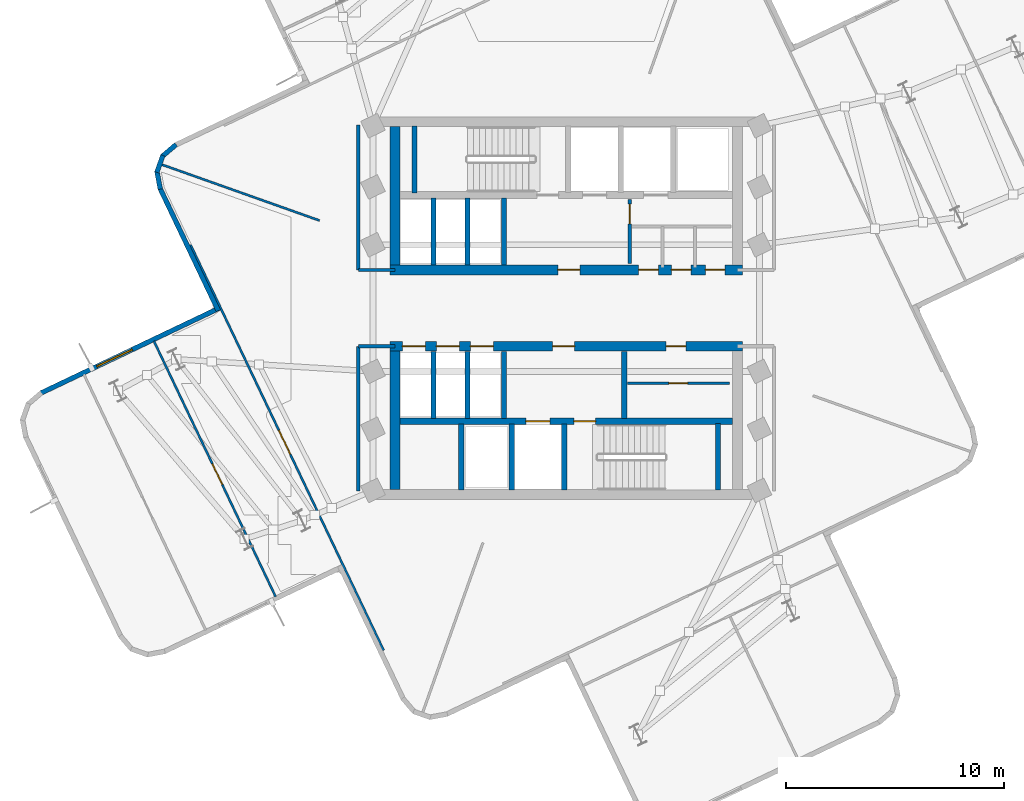
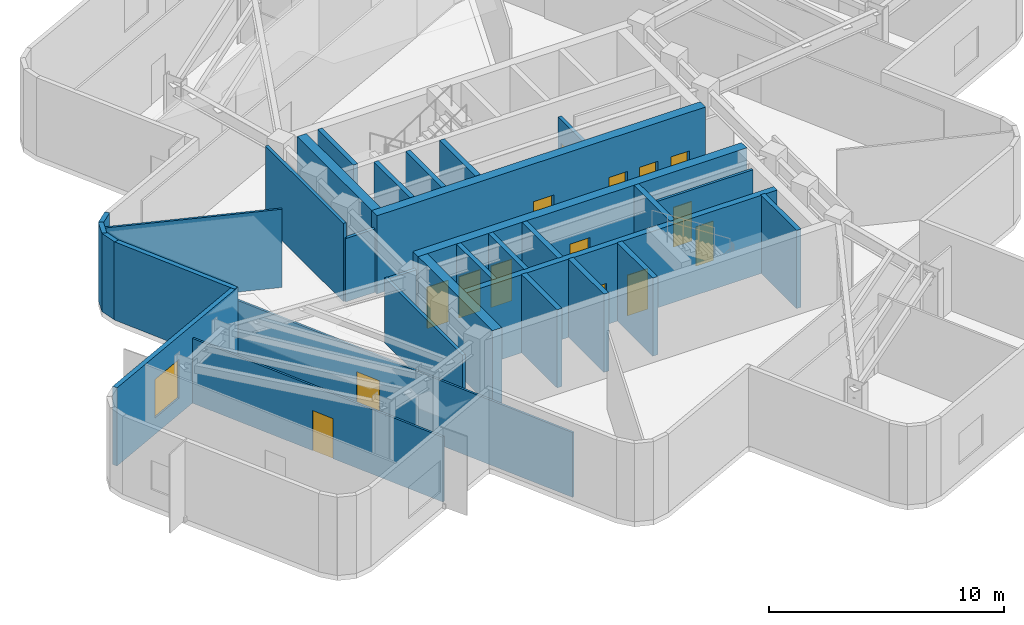
# One storey, part 3 of 7: 31 walls, 15 doors, 1 window, 16 openings.
"""IFC4 building model written with IfcOpenShell, lengths in metres."""

from ifc_helpers import new_model, si_unit, direction, frame, frame_2d, origin, place, context, subcontext, project, spatial, rectangle, extrude, material, layer, layer_set, type_object, element, fill, save


model = new_model("IFC4")

# Units and contexts
model_context = context("Model", 3, precision=1e-05, world=origin(), true_north=direction((0.0, 1.0)))
body_context = subcontext(model_context, "Body", "Model", "MODEL_VIEW")
ifc_project = project(units=[si_unit("LENGTHUNIT", "METRE"), si_unit("AREAUNIT", "SQUARE_METRE"), si_unit("VOLUMEUNIT", "CUBIC_METRE"), si_unit("PLANEANGLEUNIT", "RADIAN"), si_unit("MASSUNIT", "GRAM", prefix="KILO")], contexts=[model_context])

# Site, building, storey
site_placement = place(None, origin())
site = spatial("IfcSite", under=ifc_project, at=site_placement, CompositionType="ELEMENT")
building_placement = place(site_placement, origin())
building = spatial("IfcBuilding", under=site, at=building_placement, Name="Solmarez Civic Tower", CompositionType="ELEMENT")
storey_placement = place(building_placement, frame((0.0, 0.0, 188.280029296875)))
storey = spatial("IfcBuildingStorey", under=building, at=storey_placement, Name="L50", CompositionType="ELEMENT", Elevation=188.280029296875)

# Wall, openings, doors
ifc_material_1 = material(Name="Concrete C50/60", Category="concrete")
ifc_layer_1 = layer(ifc_material_1, 0.449951171875)
ifc_layer_set_1 = layer_set([ifc_layer_1], Name="Concrete C50/60")
wall_type_1 = type_object("IfcWallType", Name="WALL-CORE-450", PredefinedType="SHEAR", material=ifc_layer_set_1)
wall_1_placement = place(storey_placement, frame((8.070068359375, 1.75, 0.0), z_axis=(0.0, 0.0, 1.0), x_axis=(-1.0, 0.0, 0.0)))
wall_1 = element("IfcWall", 1, at=wall_1_placement, inside=storey, type_object=wall_type_1, Name="L50 Split-Core Structural Wall NCW-S-L50", PredefinedType="SHEAR", context=body_context, shape_type="SweptSolid", body=[
    extrude(rectangle(XDim=16.14013671875, YDim=0.449951171875, at=frame_2d((8.070068359375, 0.0))), origin(), (0.0, 0.0, 1.0), 4.06005859375),
])
opening_1_placement = place(wall_1_placement, frame((7.449951171875, 0.0, 0.0)))
opening_1 = element("IfcOpeningElement", 2, at=opening_1_placement, cuts=wall_1, Name="Opening D-04", PredefinedType="OPENING", context=body_context, shape_type="SweptSolid", body=[
    extrude(rectangle(XDim=1.0, YDim=2.10009765625, at=frame_2d((0.5, 1.050048828125))), frame((0.0, 0.23486328125, 0.0), z_axis=(0.0, -1.0, 0.0), x_axis=(1.0, 0.0, 0.0)), (0.0, 0.0, 1.0), 0.469970703125),
])
opening_2_placement = place(wall_1_placement, frame((3.85009765625, 0.0, 0.0)))
opening_2 = element("IfcOpeningElement", 3, at=opening_2_placement, cuts=wall_1, Name="Opening D-09", PredefinedType="OPENING", context=body_context, shape_type="SweptSolid", body=[
    extrude(rectangle(XDim=0.89990234375, YDim=2.06005859375, at=frame_2d((0.449951171875, 1.030029296875))), frame((0.0, 0.23486328125, 0.0), z_axis=(0.0, -1.0, 0.0), x_axis=(1.0, 0.0, 0.0)), (0.0, 0.0, 1.0), 0.469970703125),
])
opening_3_placement = place(wall_1_placement, frame((2.35009765625, 0.0, 0.0)))
opening_3 = element("IfcOpeningElement", 4, at=opening_3_placement, cuts=wall_1, Name="Opening D-09", PredefinedType="OPENING", context=body_context, shape_type="SweptSolid", body=[
    extrude(rectangle(XDim=0.89990234375, YDim=2.06005859375, at=frame_2d((0.449951171875, 1.030029296875))), frame((0.0, 0.23486328125, 0.0), z_axis=(0.0, -1.0, 0.0), x_axis=(1.0, 0.0, 0.0)), (0.0, 0.0, 1.0), 0.469970703125),
])
opening_4_placement = place(wall_1_placement, frame((0.800048828125, 0.0, 0.0)))
opening_4 = element("IfcOpeningElement", 5, at=opening_4_placement, cuts=wall_1, Name="Opening D-09", PredefinedType="OPENING", context=body_context, shape_type="SweptSolid", body=[
    extrude(rectangle(XDim=0.89990234375, YDim=2.06005859375, at=frame_2d((0.449951171875, 1.030029296875))), frame((0.0, 0.23486328125, 0.0), z_axis=(0.0, -1.0, 0.0), x_axis=(1.0, 0.0, 0.0)), (0.0, 0.0, 1.0), 0.469970703125),
])
ifc_material_2 = material(Name="Steel-Faced Acoustic Fire Door", Category="steel")
door_type_1 = type_object("IfcDoorType", Name="DOOR-FD60-1000", OperationType="NOTDEFINED", PredefinedType="DOOR", material=ifc_material_2)
door_1_placement = place(opening_1_placement, origin())
door_1 = element("IfcDoor", 6, at=door_1_placement, inside=storey, type_object=door_type_1, Name="L50 North Firefighting Lobby Door", OperationType="SINGLE_SWING_LEFT", OverallHeight=2.10009765625, OverallWidth=1.0, PredefinedType="DOOR", context=body_context, shape_type="SweptSolid", body=[
    extrude(rectangle(XDim=1.0, YDim=2.10009765625, at=frame_2d((0.5, 1.050048828125))), frame((0.0, 0.02490234375, 0.0), z_axis=(0.0, -1.0, 0.0), x_axis=(1.0, 0.0, 0.0)), (0.0, 0.0, 1.0), 0.050048828125),
])
fill(opening_1, door_1)
ifc_material_3 = material(Name="Fire-Rated Service Core Door", Category="wood")
door_type_2 = type_object("IfcDoorType", Name="DOOR-FD60-900", OperationType="NOTDEFINED", PredefinedType="DOOR", material=ifc_material_3)
door_2_placement = place(opening_2_placement, origin())
door_2 = element("IfcDoor", 7, at=door_2_placement, inside=storey, type_object=door_type_2, Name="L50 Core WC Door", OperationType="SINGLE_SWING_RIGHT", OverallHeight=2.06005859375, OverallWidth=0.89990234375, PredefinedType="DOOR", context=body_context, shape_type="SweptSolid", body=[
    extrude(rectangle(XDim=0.89990234375, YDim=2.06005859375, at=frame_2d((0.449951171875, 1.030029296875))), frame((0.0, 0.02490234375, 0.0), z_axis=(0.0, -1.0, 0.0), x_axis=(1.0, 0.0, 0.0)), (0.0, 0.0, 1.0), 0.050048828125),
])
fill(opening_2, door_2)
door_3_placement = place(opening_3_placement, origin())
door_3 = element("IfcDoor", 8, at=door_3_placement, inside=storey, type_object=door_type_2, Name="L50 Core CL Door", OperationType="SINGLE_SWING_LEFT", OverallHeight=2.06005859375, OverallWidth=0.89990234375, PredefinedType="DOOR", context=body_context, shape_type="SweptSolid", body=[
    extrude(rectangle(XDim=0.89990234375, YDim=2.06005859375, at=frame_2d((0.449951171875, 1.030029296875))), frame((0.0, 0.02490234375, 0.0), z_axis=(0.0, -1.0, 0.0), x_axis=(1.0, 0.0, 0.0)), (0.0, 0.0, 1.0), 0.050048828125),
])
fill(opening_3, door_3)
door_4_placement = place(opening_4_placement, origin())
door_4 = element("IfcDoor", 9, at=door_4_placement, inside=storey, type_object=door_type_2, Name="L50 Core IT Door", OperationType="SINGLE_SWING_LEFT", OverallHeight=2.06005859375, OverallWidth=0.89990234375, PredefinedType="DOOR", context=body_context, shape_type="SweptSolid", body=[
    extrude(rectangle(XDim=0.89990234375, YDim=2.06005859375, at=frame_2d((0.449951171875, 1.030029296875))), frame((0.0, 0.02490234375, 0.0), z_axis=(0.0, -1.0, 0.0), x_axis=(1.0, 0.0, 0.0)), (0.0, 0.0, 1.0), 0.050048828125),
])
fill(opening_4, door_4)

# Wall
wall_2_placement = place(storey_placement, frame((-7.844970703125, 1.97509765625, 0.0), z_axis=(0.0, 0.0, 1.0), x_axis=(0.0, 1.0, 0.0)))
element("IfcWall", 10, at=wall_2_placement, inside=storey, type_object=wall_type_1, Name="L50 Split-Core Structural Wall NCW-W-L50", PredefinedType="SHEAR", context=body_context, shape_type="SweptSolid", body=[
    extrude(rectangle(XDim=6.3349609375, YDim=0.449951171875, at=frame_2d((3.16748046875, 0.0))), origin(), (0.0, 0.0, 1.0), 4.06005859375),
])

# Wall, openings, doors
wall_3_placement = place(storey_placement, frame((-8.070068359375, -1.75, 0.0), z_axis=(0.0, 0.0, 1.0), x_axis=(1.0, 0.0, 0.0)))
wall_3 = element("IfcWall", 11, at=wall_3_placement, inside=storey, type_object=wall_type_1, Name="L50 Split-Core Structural Wall SCW-N-L50", PredefinedType="SHEAR", context=body_context, shape_type="SweptSolid", body=[
    extrude(rectangle(XDim=16.14013671875, YDim=0.449951171875, at=frame_2d((8.070068359375, 0.0))), origin(), (0.0, 0.0, 1.0), 4.06005859375),
])
opening_5_placement = place(wall_3_placement, frame((7.449951171875, 0.0, 0.0)))
opening_5 = element("IfcOpeningElement", 12, at=opening_5_placement, cuts=wall_3, Name="Opening D-04", PredefinedType="OPENING", context=body_context, shape_type="SweptSolid", body=[
    extrude(rectangle(XDim=1.0, YDim=2.10009765625, at=frame_2d((0.5, 1.050048828125))), frame((0.0, 0.23486328125, 0.0), z_axis=(0.0, -1.0, 0.0), x_axis=(1.0, 0.0, 0.0)), (0.0, 0.0, 1.0), 0.469970703125),
])
opening_6_placement = place(wall_3_placement, frame((12.64990234375, 0.0, 0.0)))
opening_6 = element("IfcOpeningElement", 13, at=opening_6_placement, cuts=wall_3, Name="Opening D-09", PredefinedType="OPENING", context=body_context, shape_type="SweptSolid", body=[
    extrude(rectangle(XDim=0.89990234375, YDim=2.06005859375, at=frame_2d((0.449951171875, 1.030029296875))), frame((0.0, 0.23486328125, 0.0), z_axis=(0.0, -1.0, 0.0), x_axis=(1.0, 0.0, 0.0)), (0.0, 0.0, 1.0), 0.469970703125),
])
opening_7_placement = place(wall_3_placement, frame((0.56494140625, 0.0, 0.0)))
opening_7 = element("IfcOpeningElement", 14, at=opening_7_placement, cuts=wall_3, Name="Opening LD-01", PredefinedType="OPENING", context=body_context, shape_type="SweptSolid", body=[
    extrude(rectangle(XDim=1.050048828125, YDim=2.14990234375, at=frame_2d((0.52490234375, 1.074951171875))), frame((0.0, 0.23486328125, 0.0), z_axis=(0.0, -1.0, 0.0), x_axis=(1.0, 0.0, 0.0)), (0.0, 0.0, 1.0), 0.469970703125),
])
opening_8_placement = place(wall_3_placement, frame((2.125, 0.0, 0.0)))
opening_8 = element("IfcOpeningElement", 15, at=opening_8_placement, cuts=wall_3, Name="Opening LD-01", PredefinedType="OPENING", context=body_context, shape_type="SweptSolid", body=[
    extrude(rectangle(XDim=1.050048828125, YDim=2.14990234375, at=frame_2d((0.52490234375, 1.074951171875))), frame((0.0, 0.23486328125, 0.0), z_axis=(0.0, -1.0, 0.0), x_axis=(1.0, 0.0, 0.0)), (0.0, 0.0, 1.0), 0.469970703125),
])
opening_9_placement = place(wall_3_placement, frame((3.68505859375, 0.0, 0.0)))
opening_9 = element("IfcOpeningElement", 16, at=opening_9_placement, cuts=wall_3, Name="Opening LD-01", PredefinedType="OPENING", context=body_context, shape_type="SweptSolid", body=[
    extrude(rectangle(XDim=1.050048828125, YDim=2.14990234375, at=frame_2d((0.52490234375, 1.074951171875))), frame((0.0, 0.23486328125, 0.0), z_axis=(0.0, -1.0, 0.0), x_axis=(1.0, 0.0, 0.0)), (0.0, 0.0, 1.0), 0.469970703125),
])
door_5_placement = place(opening_5_placement, origin())
door_5 = element("IfcDoor", 17, at=door_5_placement, inside=storey, type_object=door_type_1, Name="L50 South Firefighting Lobby Door", OperationType="SINGLE_SWING_RIGHT", OverallHeight=2.10009765625, OverallWidth=1.0, PredefinedType="DOOR", context=body_context, shape_type="SweptSolid", body=[
    extrude(rectangle(XDim=1.0, YDim=2.10009765625, at=frame_2d((0.5, 1.050048828125))), frame((0.0, 0.02490234375, 0.0), z_axis=(0.0, -1.0, 0.0), x_axis=(1.0, 0.0, 0.0)), (0.0, 0.0, 1.0), 0.050048828125),
])
fill(opening_5, door_5)
door_6_placement = place(opening_6_placement, origin())
door_6 = element("IfcDoor", 18, at=door_6_placement, inside=storey, type_object=door_type_2, Name="L50 Freed Hoistway Mailroom Door", OperationType="SINGLE_SWING_LEFT", OverallHeight=2.06005859375, OverallWidth=0.89990234375, PredefinedType="DOOR", context=body_context, shape_type="SweptSolid", body=[
    extrude(rectangle(XDim=0.89990234375, YDim=2.06005859375, at=frame_2d((0.449951171875, 1.030029296875))), frame((0.0, 0.02490234375, 0.0), z_axis=(0.0, -1.0, 0.0), x_axis=(1.0, 0.0, 0.0)), (0.0, 0.0, 1.0), 0.050048828125),
])
fill(opening_6, door_6)
ifc_material_4 = material(Name="Bronze Passenger Lift Landing Sliding Door", Category="aluminium")
door_type_3 = type_object("IfcDoorType", Name="DOOR-LD-PAX-1050", OperationType="DOUBLE_DOOR_SLIDING", PredefinedType="DOOR", material=ifc_material_4)
door_7_placement = place(opening_7_placement, origin())
door_7 = element("IfcDoor", 19, at=door_7_placement, inside=storey, type_object=door_type_3, Name="L50 Mid-Rise Lift Landing Door PL-M1", OperationType="DOUBLE_DOOR_SLIDING", OverallHeight=2.14990234375, OverallWidth=1.050048828125, PredefinedType="DOOR", context=body_context, shape_type="SweptSolid", body=[
    extrude(rectangle(XDim=1.050048828125, YDim=2.14990234375, at=frame_2d((0.52490234375, 1.074951171875))), frame((0.0, 0.02490234375, 0.0), z_axis=(0.0, -1.0, 0.0), x_axis=(1.0, 0.0, 0.0)), (0.0, 0.0, 1.0), 0.050048828125),
])
fill(opening_7, door_7)
door_8_placement = place(opening_8_placement, origin())
door_8 = element("IfcDoor", 20, at=door_8_placement, inside=storey, type_object=door_type_3, Name="L50 Mid-Rise Lift Landing Door PL-M2", OperationType="DOUBLE_DOOR_SLIDING", OverallHeight=2.14990234375, OverallWidth=1.050048828125, PredefinedType="DOOR", context=body_context, shape_type="SweptSolid", body=[
    extrude(rectangle(XDim=1.050048828125, YDim=2.14990234375, at=frame_2d((0.52490234375, 1.074951171875))), frame((0.0, 0.02490234375, 0.0), z_axis=(0.0, -1.0, 0.0), x_axis=(1.0, 0.0, 0.0)), (0.0, 0.0, 1.0), 0.050048828125),
])
fill(opening_8, door_8)
door_9_placement = place(opening_9_placement, origin())
door_9 = element("IfcDoor", 21, at=door_9_placement, inside=storey, type_object=door_type_3, Name="L50 Mid-Rise Lift Landing Door PL-M3", OperationType="DOUBLE_DOOR_SLIDING", OverallHeight=2.14990234375, OverallWidth=1.050048828125, PredefinedType="DOOR", context=body_context, shape_type="SweptSolid", body=[
    extrude(rectangle(XDim=1.050048828125, YDim=2.14990234375, at=frame_2d((0.52490234375, 1.074951171875))), frame((0.0, 0.02490234375, 0.0), z_axis=(0.0, -1.0, 0.0), x_axis=(1.0, 0.0, 0.0)), (0.0, 0.0, 1.0), 0.050048828125),
])
fill(opening_9, door_9)

# Wall
wall_4_placement = place(storey_placement, frame((-7.844970703125, -8.31005859375, 0.0), z_axis=(0.0, 0.0, 1.0), x_axis=(0.0, 1.0, 0.0)))
element("IfcWall", 22, at=wall_4_placement, inside=storey, type_object=wall_type_1, Name="L50 Split-Core Structural Wall SCW-W-L50", PredefinedType="SHEAR", context=body_context, shape_type="SweptSolid", body=[
    extrude(rectangle(XDim=6.3349609375, YDim=0.449951171875, at=frame_2d((3.16748046875, 0.0))), origin(), (0.0, 0.0, 1.0), 4.06005859375),
])

# Wall, opening, window
ifc_material_5 = material(Name="Precast concrete C40/50", Category="concrete")
ifc_layer_2 = layer(ifc_material_5, 0.219970703125)
ifc_layer_set_2 = layer_set([ifc_layer_2], Name="Precast concrete C40/50")
wall_type_2 = type_object("IfcWallType", Name="WALL-EXT-220", PredefinedType="SOLIDWALL", material=ifc_layer_set_2)
wall_5_placement = place(storey_placement, frame((-24.073974609375, -3.89697265625, 0.0), z_axis=(0.0, 0.0, 1.0), x_axis=(0.902868488288, 0.429916844117, 0.0)))
wall_5 = element("IfcWall", 23, at=wall_5_placement, inside=storey, type_object=wall_type_2, Name="L50 Exterior Precast Wall 10", PredefinedType="SOLIDWALL", context=body_context, shape_type="SweptSolid", body=[
    extrude(rectangle(XDim=9.06005859375, YDim=0.219970703125, at=frame_2d((4.530029296875, 0.0))), origin(), (0.0, 0.0, 1.0), 4.06005859375),
])
opening_10_placement = place(wall_5_placement, frame((2.85009765625, 0.0, 0.85009765625)))
opening_10 = element("IfcOpeningElement", 24, at=opening_10_placement, cuts=wall_5, Name="Opening W-04", PredefinedType="OPENING", context=body_context, shape_type="SweptSolid", body=[
    extrude(rectangle(XDim=1.800048828125, YDim=2.0, at=frame_2d((0.89990234375, 1.0))), frame((0.0, 0.119873046875, 0.0), z_axis=(0.0, -1.0, 0.0), x_axis=(1.0, 0.0, 0.0)), (0.0, 0.0, 1.0), 0.239990234375),
])
ifc_material_6 = material(Name="Solar Control Bronze-Tinted Insulating Glass", Category="glass")
window_type = type_object("IfcWindowType", Name="WIN-1800X2000", PartitioningType="SINGLE_PANEL", PredefinedType="WINDOW", material=ifc_material_6)
window_placement = place(opening_10_placement, origin())
window = element("IfcWindow", 25, at=window_placement, inside=storey, type_object=window_type, Name="L50 Exterior Facade Window 10", OverallHeight=2.0, OverallWidth=1.800048828125, PartitioningType="SINGLE_PANEL", PredefinedType="WINDOW", context=body_context, shape_type="SweptSolid", body=[
    extrude(rectangle(XDim=1.800048828125, YDim=2.0, at=frame_2d((0.89990234375, 1.0))), frame((0.0, 0.030029296875, 0.0), z_axis=(0.0, -1.0, 0.0), x_axis=(1.0, 0.0, 0.0)), (0.0, 0.0, 1.0), 0.06005859375),
])
fill(opening_10, window)

# Walls
wall_6_placement = place(storey_placement, frame((-15.93505859375, -0.118896484375, 0.0), z_axis=(0.0, 0.0, 1.0), x_axis=(-0.429997588734, 0.902830035878, 0.0)))
element("IfcWall", 26, at=wall_6_placement, inside=storey, type_object=wall_type_2, Name="L50 Exterior Precast Wall 13", PredefinedType="SOLIDWALL", context=body_context, shape_type="SweptSolid", body=[
    extrude(rectangle(XDim=6.21826171875, YDim=0.219970703125, at=frame_2d((3.109130859375, 0.0))), origin(), (0.0, 0.0, 1.0), 4.06005859375),
])
wall_7_placement = place(storey_placement, frame((-18.593017578125, 5.447021484375, 0.0), z_axis=(0.0, 0.0, 1.0), x_axis=(-0.183282428617, 0.983060298944, 0.0)))
element("IfcWall", 27, at=wall_7_placement, inside=storey, type_object=wall_type_2, Name="L50 Exterior Precast Wall 14", PredefinedType="SOLIDWALL", context=body_context, shape_type="SweptSolid", body=[
    extrude(rectangle(XDim=0.835205078125, YDim=0.219970703125, at=frame_2d((0.41748046875, 0.0))), origin(), (0.0, 0.0, 1.0), 4.06005859375),
])
wall_8_placement = place(storey_placement, frame((-18.7490234375, 6.218994140625, 0.0), z_axis=(0.0, 0.0, 1.0), x_axis=(0.33403451258, 0.942560843875, 0.0)))
element("IfcWall", 28, at=wall_8_placement, inside=storey, type_object=wall_type_2, Name="L50 Exterior Precast Wall 15", PredefinedType="SOLIDWALL", context=body_context, shape_type="SweptSolid", body=[
    extrude(rectangle(XDim=0.820068359375, YDim=0.219970703125, at=frame_2d((0.41015625, 0.0))), origin(), (0.0, 0.0, 1.0), 4.06005859375),
])
wall_9_placement = place(storey_placement, frame((-18.501953125, 6.951904296875, 0.0), z_axis=(0.0, 0.0, 1.0), x_axis=(0.76070207285, 0.649101191157, 0.0)))
element("IfcWall", 29, at=wall_9_placement, inside=storey, type_object=wall_type_2, Name="L50 Exterior Precast Wall 16", PredefinedType="SOLIDWALL", context=body_context, shape_type="SweptSolid", body=[
    extrude(rectangle(XDim=0.83349609375, YDim=0.219970703125, at=frame_2d((0.416748046875, 0.0))), origin(), (0.0, 0.0, 1.0), 4.06005859375),
])
ifc_material_7 = material(Name="Gypsum Board Acoustic Steel-Stud Partition", Category="steel")
ifc_layer_3 = layer(ifc_material_7, 0.14990234375)
ifc_layer_set_3 = layer_set([ifc_layer_3], Name="Gypsum Board Acoustic Steel-Stud Partition")
wall_type_3 = type_object("IfcWallType", Name="WALL-INT-FIRE-150", PredefinedType="PARTITIONING", material=ifc_layer_set_3)
wall_10_placement = place(storey_placement, frame((-9.52001953125, 1.75, 0.0), z_axis=(0.0, 0.0, 1.0), x_axis=(0.0, 1.0, 0.0)))
element("IfcWall", 30, at=wall_10_placement, inside=storey, type_object=wall_type_3, Name="L50 Interior Partition CHW-L50-WN1", PredefinedType="PARTITIONING", context=body_context, shape_type="SweptSolid", body=[
    extrude(rectangle(XDim=6.6298828125, YDim=0.14990234375, at=frame_2d((3.31494140625, 0.0))), origin(), (0.0, 0.0, 1.0), 4.06005859375),
])
wall_11_placement = place(storey_placement, frame((-7.85009765625, 1.75, 0.0), z_axis=(0.0, 0.0, 1.0), x_axis=(-1.0, 0.0, 0.0)))
element("IfcWall", 31, at=wall_11_placement, inside=storey, type_object=wall_type_3, Name="L50 Interior Partition CHW-L50-WN3", PredefinedType="PARTITIONING", context=body_context, shape_type="SweptSolid", body=[
    extrude(rectangle(XDim=1.669921875, YDim=0.14990234375, at=frame_2d((0.8349609375, 0.0))), origin(), (0.0, 0.0, 1.0), 3.2900390625),
])
wall_12_placement = place(storey_placement, frame((-9.52001953125, -8.3798828125, 0.0), z_axis=(0.0, 0.0, 1.0), x_axis=(0.0, 1.0, 0.0)))
element("IfcWall", 32, at=wall_12_placement, inside=storey, type_object=wall_type_3, Name="L50 Interior Partition CHW-L50-WS1", PredefinedType="PARTITIONING", context=body_context, shape_type="SweptSolid", body=[
    extrude(rectangle(XDim=6.6298828125, YDim=0.14990234375, at=frame_2d((3.31494140625, 0.0))), origin(), (0.0, 0.0, 1.0), 3.364013671875),
])
wall_13_placement = place(storey_placement, frame((-7.85009765625, -1.75, 0.0), z_axis=(0.0, 0.0, 1.0), x_axis=(-1.0, 0.0, 0.0)))
element("IfcWall", 33, at=wall_13_placement, inside=storey, type_object=wall_type_3, Name="L50 Interior Partition CHW-L50-WS3", PredefinedType="PARTITIONING", context=body_context, shape_type="SweptSolid", body=[
    extrude(rectangle(XDim=1.669921875, YDim=0.14990234375, at=frame_2d((0.8349609375, 0.0))), origin(), (0.0, 0.0, 1.0), 3.2900390625),
])
ifc_layer_4 = layer(ifc_material_7, 0.10009765625)
ifc_layer_set_4 = layer_set([ifc_layer_4], Name="Gypsum Board Acoustic Steel-Stud Partition")
wall_type_4 = type_object("IfcWallType", Name="WALL-INT-PART-100", PredefinedType="PARTITIONING", material=ifc_layer_set_4)
wall_14_placement = place(storey_placement, frame((-11.300048828125, 4.010986328125, 0.0), z_axis=(0.0, 0.0, 1.0), x_axis=(-0.942439374513, 0.334377070636, 0.0)))
element("IfcWall", 34, at=wall_14_placement, inside=storey, type_object=wall_type_4, Name="L50 Interior Partition PT-L50-QDIV-2", PredefinedType="PARTITIONING", context=body_context, shape_type="SweptSolid", body=[
    extrude(rectangle(XDim=7.68310546875, YDim=0.10009765625, at=frame_2d((3.841552734375, 0.0))), origin(), (0.0, 0.0, 1.0), 4.06005859375),
])

# Wall, opening, door
wall_15_placement = place(storey_placement, frame((-8.362060546875, -15.677001953125, 0.0), z_axis=(0.0, 0.0, 1.0), x_axis=(-0.429924831179, 0.902864685064, 0.0)))
wall_15 = element("IfcWall", 35, at=wall_15_placement, inside=storey, type_object=wall_type_4, Name="L50 Interior Partition PT-L50-W-ENT", PredefinedType="PARTITIONING", context=body_context, shape_type="SweptSolid", body=[
    extrude(rectangle(XDim=20.580078125, YDim=0.10009765625, at=frame_2d((10.2900390625, 0.0))), origin(), (0.0, 0.0, 1.0), 3.364013671875),
])
opening_11_placement = place(wall_15_placement, frame((9.9599609375, 0.0, 0.0)))
opening_11 = element("IfcOpeningElement", 36, at=opening_11_placement, cuts=wall_15, Name="Opening D-11", PredefinedType="OPENING", context=body_context, shape_type="SweptSolid", body=[
    extrude(rectangle(XDim=1.199951171875, YDim=2.10009765625, at=frame_2d((0.60009765625, 1.050048828125))), frame((0.0, 0.06005859375, 0.0), z_axis=(0.0, -1.0, 0.0), x_axis=(1.0, 0.0, 0.0)), (0.0, 0.0, 1.0), 0.1201171875),
])
ifc_material_8 = material(Name="Glazed-Vision Acoustic Chamber Door", Category="wood")
door_type_4 = type_object("IfcDoorType", Name="DOOR-INT-1200", OperationType="NOTDEFINED", PredefinedType="DOOR", material=ifc_material_8)
door_10_placement = place(opening_11_placement, origin())
door_10 = element("IfcDoor", 37, at=door_10_placement, inside=storey, type_object=door_type_4, Name="L50 Public Reading Room First West Door", OperationType="SINGLE_SWING_LEFT", OverallHeight=2.10009765625, OverallWidth=1.199951171875, PredefinedType="DOOR", context=body_context, shape_type="SweptSolid", body=[
    extrude(rectangle(XDim=1.199951171875, YDim=2.10009765625, at=frame_2d((0.60009765625, 1.050048828125))), frame((0.0, 0.02490234375, 0.0), z_axis=(0.0, -1.0, 0.0), x_axis=(1.0, 0.0, 0.0)), (0.0, 0.0, 1.0), 0.050048828125),
])
fill(opening_11, door_10)

wall_16_placement = place(storey_placement, frame((-13.30908203125, -13.219970703125, 0.0), z_axis=(0.0, 0.0, 1.0), x_axis=(-0.429918235923, 0.902867825554, 0.0)))
wall_16 = element("IfcWall", 38, at=wall_16_placement, inside=storey, type_object=wall_type_4, Name="L50 Interior Partition PT-L50-W-SC1", PredefinedType="PARTITIONING", context=body_context, shape_type="SweptSolid", body=[
    extrude(rectangle(XDim=12.9697265625, YDim=0.10009765625, at=frame_2d((6.48486328125, 0.0))), origin(), (0.0, 0.0, 1.0), 3.364013671875),
])
opening_12_placement = place(wall_16_placement, frame((5.68994140625, 0.0, 0.0)))
opening_12 = element("IfcOpeningElement", 39, at=opening_12_placement, cuts=wall_16, Name="Opening D-13", PredefinedType="OPENING", context=body_context, shape_type="SweptSolid", body=[
    extrude(rectangle(XDim=1.050048828125, YDim=2.080078125, at=frame_2d((0.52490234375, 1.0400390625))), frame((0.0, 0.06005859375, 0.0), z_axis=(0.0, -1.0, 0.0), x_axis=(1.0, 0.0, 0.0)), (0.0, 0.0, 1.0), 0.1201171875),
])
ifc_material_9 = material(Name="Timber Directorate Office Door", Category="wood")
door_type_5 = type_object("IfcDoorType", Name="DOOR-INT-1050", OperationType="NOTDEFINED", PredefinedType="DOOR", material=ifc_material_9)
door_11_placement = place(opening_12_placement, origin())
door_11 = element("IfcDoor", 40, at=door_11_placement, inside=storey, type_object=door_type_5, Name="L50 Delegates Lounge West Door", OperationType="SINGLE_SWING_LEFT", OverallHeight=2.080078125, OverallWidth=1.050048828125, PredefinedType="DOOR", context=body_context, shape_type="SweptSolid", body=[
    extrude(rectangle(XDim=1.050048828125, YDim=2.080078125, at=frame_2d((0.52490234375, 1.0400390625))), frame((0.0, 0.02490234375, 0.0), z_axis=(0.0, -1.0, 0.0), x_axis=(1.0, 0.0, 0.0)), (0.0, 0.0, 1.0), 0.050048828125),
])
fill(opening_12, door_11)

ifc_layer_5 = layer(ifc_material_7, 0.1201171875)
ifc_layer_set_5 = layer_set([ifc_layer_5], Name="Gypsum Board Acoustic Steel-Stud Partition")
wall_type_5 = type_object("IfcWallType", Name="WALL-INT-PART-120", PredefinedType="PARTITIONING", material=ifc_layer_set_5)
wall_17_placement = place(storey_placement, frame((2.800048828125, -3.449951171875, 0.0), z_axis=(0.0, 0.0, 1.0), x_axis=(1.0, 0.0, 0.0)))
wall_17 = element("IfcWall", 41, at=wall_17_placement, inside=storey, type_object=wall_type_5, Name="L50 Interior Partition PT-FPLL-L50", PredefinedType="PARTITIONING", context=body_context, shape_type="SweptSolid", body=[
    extrude(rectangle(XDim=4.679931640625, YDim=0.1201171875, at=frame_2d((2.33984375, 0.0))), origin(), (0.0, 0.0, 1.0), 4.06005859375),
])
opening_13_placement = place(wall_17_placement, frame((1.89990234375, 0.0, 0.0)))
opening_13 = element("IfcOpeningElement", 42, at=opening_13_placement, cuts=wall_17, Name="Opening D-14", PredefinedType="OPENING", context=body_context, shape_type="SweptSolid", body=[
    extrude(rectangle(XDim=0.860107421875, YDim=2.0400390625, at=frame_2d((0.43017578125, 1.02001953125))), frame((0.0, 0.070068359375, 0.0), z_axis=(0.0, -1.0, 0.0), x_axis=(1.0, 0.0, 0.0)), (0.0, 0.0, 1.0), 0.14013671875),
])
ifc_material_10 = material(Name="Timber Storage and Pantry Door", Category="wood")
door_type_6 = type_object("IfcDoorType", Name="DOOR-INT-850", OperationType="NOTDEFINED", PredefinedType="DOOR", material=ifc_material_10)
door_12_placement = place(opening_13_placement, origin())
door_12 = element("IfcDoor", 43, at=door_12_placement, inside=storey, type_object=door_type_6, Name="L50 Records Filing Room Door", OperationType="SINGLE_SWING_LEFT", OverallHeight=2.0400390625, OverallWidth=0.860107421875, PredefinedType="DOOR", context=body_context, shape_type="SweptSolid", body=[
    extrude(rectangle(XDim=0.860107421875, YDim=2.0400390625, at=frame_2d((0.43017578125, 1.02001953125))), frame((0.0, 0.02490234375, 0.0), z_axis=(0.0, -1.0, 0.0), x_axis=(1.0, 0.0, 0.0)), (0.0, 0.0, 1.0), 0.050048828125),
])
fill(opening_13, door_12)

ifc_layer_6 = layer(ifc_material_7, 0.159912109375)
ifc_layer_set_6 = layer_set([ifc_layer_6], Name="Gypsum Board Acoustic Steel-Stud Partition")
wall_type_6 = type_object("IfcWallType", Name="WALL-INT-SHAFT-160", PredefinedType="PARTITIONING", material=ifc_layer_set_6)
wall_18_placement = place(storey_placement, frame((2.89990234375, 2.0400390625, 0.0), z_axis=(0.0, 0.0, 1.0), x_axis=(0.0, 1.0, 0.0)))
wall_18 = element("IfcWall", 44, at=wall_18_placement, inside=storey, type_object=wall_type_6, Name="L50 Interior Partition SHW-NL2-L50", PredefinedType="PARTITIONING", context=body_context, shape_type="SweptSolid", body=[
    extrude(rectangle(XDim=2.93994140625, YDim=0.159912109375, at=frame_2d((1.469970703125, 0.0))), origin(), (0.0, 0.0, 1.0), 3.2900390625),
])
opening_14_placement = place(wall_18_placement, frame((1.820068359375, 0.0, 0.0)))
opening_14 = element("IfcOpeningElement", 45, at=opening_14_placement, cuts=wall_18, Name="Opening D-09", PredefinedType="OPENING", context=body_context, shape_type="SweptSolid", body=[
    extrude(rectangle(XDim=0.89990234375, YDim=2.06005859375, at=frame_2d((0.449951171875, 1.030029296875))), frame((0.0, 0.08984375, 0.0), z_axis=(0.0, -1.0, 0.0), x_axis=(1.0, 0.0, 0.0)), (0.0, 0.0, 1.0), 0.179931640625),
])
door_13_placement = place(opening_14_placement, origin())
door_13 = element("IfcDoor", 46, at=door_13_placement, inside=storey, type_object=door_type_2, Name="L50 Service Lift Lobby Door", OperationType="SINGLE_SWING_LEFT", OverallHeight=2.06005859375, OverallWidth=0.89990234375, PredefinedType="DOOR", context=body_context, shape_type="SweptSolid", body=[
    extrude(rectangle(XDim=0.89990234375, YDim=2.06005859375, at=frame_2d((0.449951171875, 1.030029296875))), frame((0.0, 0.02490234375, 0.0), z_axis=(0.0, -1.0, 0.0), x_axis=(1.0, 0.0, 0.0)), (0.0, 0.0, 1.0), 0.050048828125),
])
fill(opening_14, door_13)

# Wall, openings, doors
ifc_layer_7 = layer(ifc_material_1, 0.300048828125)
ifc_layer_set_7 = layer_set([ifc_layer_7], Name="Concrete C50/60")
wall_type_7 = type_object("IfcWallType", Name="WALL-STR-300", PredefinedType="SOLIDWALL", material=ifc_layer_set_7)
wall_19_placement = place(storey_placement, frame((-7.6201171875, -5.179931640625, 0.0), z_axis=(0.0, 0.0, 1.0), x_axis=(1.0, 0.0, 0.0)))
wall_19 = element("IfcWall", 47, at=wall_19_placement, inside=storey, type_object=wall_type_7, Name="L50 Split-Core Structural Wall SCW-M-L50", PredefinedType="SOLIDWALL", context=body_context, shape_type="SweptSolid", body=[
    extrude(rectangle(XDim=15.240234375, YDim=0.300048828125, at=frame_2d((7.6201171875, 0.0))), origin(), (0.0, 0.0, 1.0), 4.06005859375),
])
opening_15_placement = place(wall_19_placement, frame((5.77001953125, 0.0, 0.0)))
opening_15 = element("IfcOpeningElement", 48, at=opening_15_placement, cuts=wall_19, Name="Opening LD-02", PredefinedType="OPENING", context=body_context, shape_type="SweptSolid", body=[
    extrude(rectangle(XDim=1.10009765625, YDim=2.14990234375, at=frame_2d((0.550048828125, 1.074951171875))), frame((0.0, 0.159912109375, 0.0), z_axis=(0.0, -1.0, 0.0), x_axis=(1.0, 0.0, 0.0)), (0.0, 0.0, 1.0), 0.320068359375),
])
opening_16_placement = place(wall_19_placement, frame((7.969970703125, 0.0, 0.0)))
opening_16 = element("IfcOpeningElement", 49, at=opening_16_placement, cuts=wall_19, Name="Opening D-05", PredefinedType="OPENING", context=body_context, shape_type="SweptSolid", body=[
    extrude(rectangle(XDim=1.0, YDim=2.10009765625, at=frame_2d((0.5, 1.050048828125))), frame((0.0, 0.159912109375, 0.0), z_axis=(0.0, -1.0, 0.0), x_axis=(1.0, 0.0, 0.0)), (0.0, 0.0, 1.0), 0.320068359375),
])
ifc_material_11 = material(Name="Fire-Rated Stairwell Exit Door", Category="wood")
door_type_7 = type_object("IfcDoorType", Name="DOOR-FD90-1000", OperationType="NOTDEFINED", PredefinedType="DOOR", material=ifc_material_11)
door_14_placement = place(opening_16_placement, origin())
door_14 = element("IfcDoor", 50, at=door_14_placement, inside=storey, type_object=door_type_7, Name="L50 South Exit Stair Door ST-2", OperationType="SINGLE_SWING_RIGHT", OverallHeight=2.10009765625, OverallWidth=1.0, PredefinedType="DOOR", context=body_context, shape_type="SweptSolid", body=[
    extrude(rectangle(XDim=1.0, YDim=2.10009765625, at=frame_2d((0.5, 1.050048828125))), frame((0.0, 0.02490234375, 0.0), z_axis=(0.0, -1.0, 0.0), x_axis=(1.0, 0.0, 0.0)), (0.0, 0.0, 1.0), 0.050048828125),
])
fill(opening_16, door_14)
ifc_material_12 = material(Name="Stainless Firefighting Lift Landing Sliding Door", Category="aluminium")
door_type_8 = type_object("IfcDoorType", Name="DOOR-LD-FF-1100", OperationType="DOUBLE_DOOR_SLIDING", PredefinedType="DOOR", material=ifc_material_12)
door_15_placement = place(opening_15_placement, origin())
door_15 = element("IfcDoor", 51, at=door_15_placement, inside=storey, type_object=door_type_8, Name="L50 Firefighting Lift Landing Door FFL-2", OperationType="DOUBLE_DOOR_SLIDING", OverallHeight=2.14990234375, OverallWidth=1.10009765625, PredefinedType="DOOR", context=body_context, shape_type="SweptSolid", body=[
    extrude(rectangle(XDim=1.10009765625, YDim=2.14990234375, at=frame_2d((0.550048828125, 1.074951171875))), frame((0.0, 0.02490234375, 0.0), z_axis=(0.0, -1.0, 0.0), x_axis=(1.0, 0.0, 0.0)), (0.0, 0.0, 1.0), 0.050048828125),
])
fill(opening_15, door_15)

# Walls
for number, where, z_axis, x_axis, name in (
    (52, (-6.949951171875, 5.280029296875, 0.0), (0.0, 0.0, 1.0), (0.0, 1.0, 0.0), "L50 Split-Core Structural Wall SHW-NW-L50"),
    (53, (6.949951171875, -8.340087890625, 0.0), (0.0, 0.0, 1.0), (0.0, 1.0, 0.0), "L50 Split-Core Structural Wall SHW-SE-L50"),
):
    element("IfcWall", number, at=place(storey_placement, frame(where, z_axis=z_axis, x_axis=x_axis)), inside=storey, type_object=wall_type_7, Name=name, PredefinedType="SOLIDWALL", context=body_context, shape_type="SweptSolid", body=[
        extrude(rectangle(XDim=3.06005859375, YDim=0.219970703125, at=frame_2d((1.530029296875, 0.0))), origin(), (0.0, 0.0, 1.0), 4.06005859375),
    ])
wall_20_placement = place(storey_placement, frame((-2.85009765625, 1.97998046875, 0.0), z_axis=(0.0, 0.0, 1.0), x_axis=(0.0, 1.0, 0.0)))
element("IfcWall", 54, at=wall_20_placement, inside=storey, type_object=wall_type_7, Name="L50 Split-Core Structural Wall SHW-NL1-L50", PredefinedType="SOLIDWALL", context=body_context, shape_type="SweptSolid", body=[
    extrude(rectangle(XDim=3.070068359375, YDim=0.25, at=frame_2d((1.53515625, 0.0))), origin(), (0.0, 0.0, 1.0), 4.06005859375),
])
for number, where, z_axis, x_axis, name in (
    (55, (-0.10009765625, -8.340087890625, 0.0), (0.0, 0.0, 1.0), (0.0, 1.0, 0.0), "L50 Split-Core Structural Wall SHW-S1-L50"),
    (56, (-2.5, -8.340087890625, 0.0), (0.0, 0.0, 1.0), (0.0, 1.0, 0.0), "L50 Split-Core Structural Wall SHW-S2-L50"),
    (57, (-4.800048828125, -8.340087890625, 0.0), (0.0, 0.0, 1.0), (0.0, 1.0, 0.0), "L50 Split-Core Structural Wall SHW-S3-L50"),
):
    element("IfcWall", number, at=place(storey_placement, frame(where, z_axis=z_axis, x_axis=x_axis)), inside=storey, type_object=wall_type_7, Name=name, PredefinedType="SOLIDWALL", context=body_context, shape_type="SweptSolid", body=[
        extrude(rectangle(XDim=3.0400390625, YDim=0.25, at=frame_2d((1.52001953125, 0.0))), origin(), (0.0, 0.0, 1.0), 4.06005859375),
    ])
for number, where, z_axis, x_axis, name in (
    (58, (-2.85009765625, -5.050048828125, 0.0), (0.0, 0.0, 1.0), (0.0, 1.0, 0.0), "L50 Split-Core Structural Wall SHW-SL1-L50"),
    (59, (2.64990234375, -5.050048828125, 0.0), (0.0, 0.0, 1.0), (0.0, 1.0, 0.0), "L50 Split-Core Structural Wall SHW-SL2-L50"),
):
    element("IfcWall", number, at=place(storey_placement, frame(where, z_axis=z_axis, x_axis=x_axis)), inside=storey, type_object=wall_type_7, Name=name, PredefinedType="SOLIDWALL", context=body_context, shape_type="SweptSolid", body=[
        extrude(rectangle(XDim=3.070068359375, YDim=0.25, at=frame_2d((1.53515625, 0.0))), origin(), (0.0, 0.0, 1.0), 4.06005859375),
    ])
for number, where, z_axis, x_axis, name in (
    (60, (-6.080078125, 1.97998046875, 0.0), (0.0, 0.0, 1.0), (0.0, 1.0, 0.0), "L50 Split-Core Structural Wall SHW-PLH-L50-1"),
    (61, (-4.52001953125, 1.97998046875, 0.0), (0.0, 0.0, 1.0), (0.0, 1.0, 0.0), "L50 Split-Core Structural Wall SHW-PLH-L50-2"),
    (62, (-6.080078125, -5.050048828125, 0.0), (0.0, 0.0, 1.0), (0.0, 1.0, 0.0), "L50 Split-Core Structural Wall SHW-PLM-L50-1"),
    (63, (-4.52001953125, -5.050048828125, 0.0), (0.0, 0.0, 1.0), (0.0, 1.0, 0.0), "L50 Split-Core Structural Wall SHW-PLM-L50-2"),
):
    element("IfcWall", number, at=place(storey_placement, frame(where, z_axis=z_axis, x_axis=x_axis)), inside=storey, type_object=wall_type_7, Name=name, PredefinedType="SOLIDWALL", context=body_context, shape_type="SweptSolid", body=[
        extrude(rectangle(XDim=3.070068359375, YDim=0.219970703125, at=frame_2d((1.53515625, 0.0))), origin(), (0.0, 0.0, 1.0), 4.06005859375),
    ])

save(model, "model.ifc")
